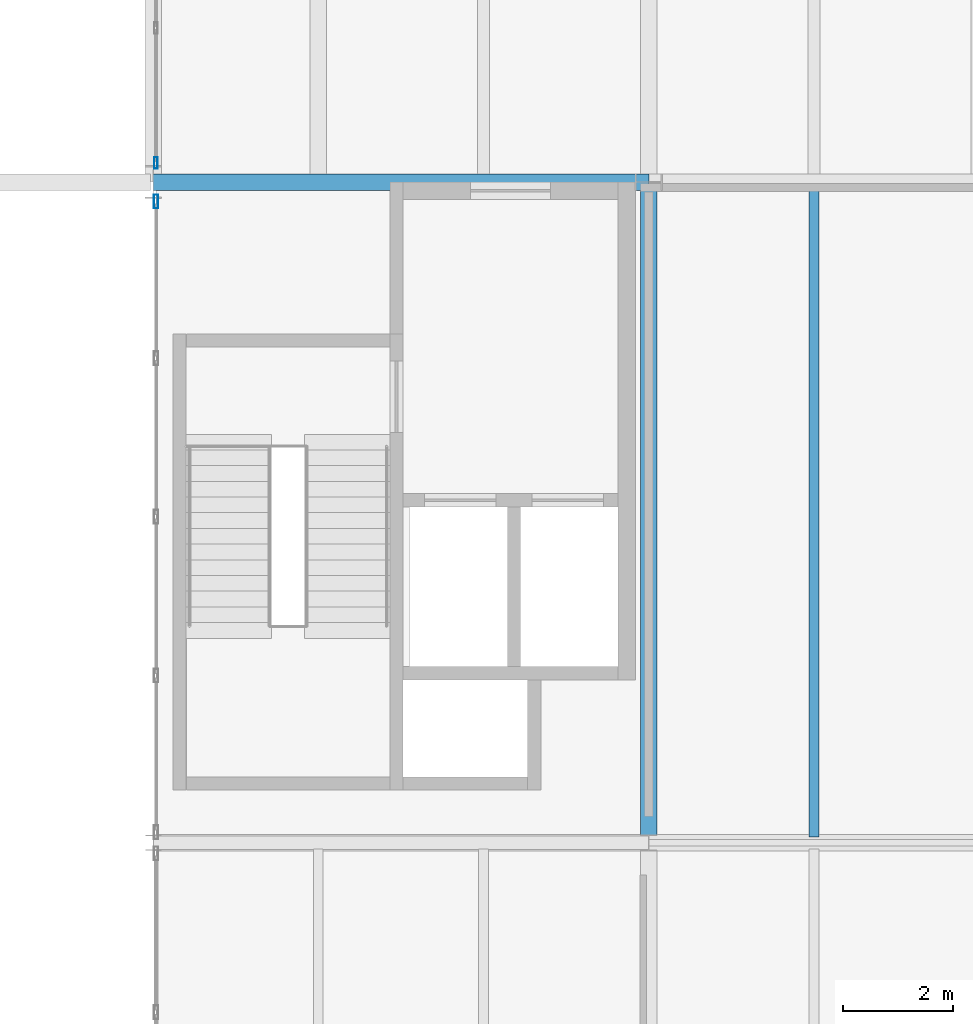
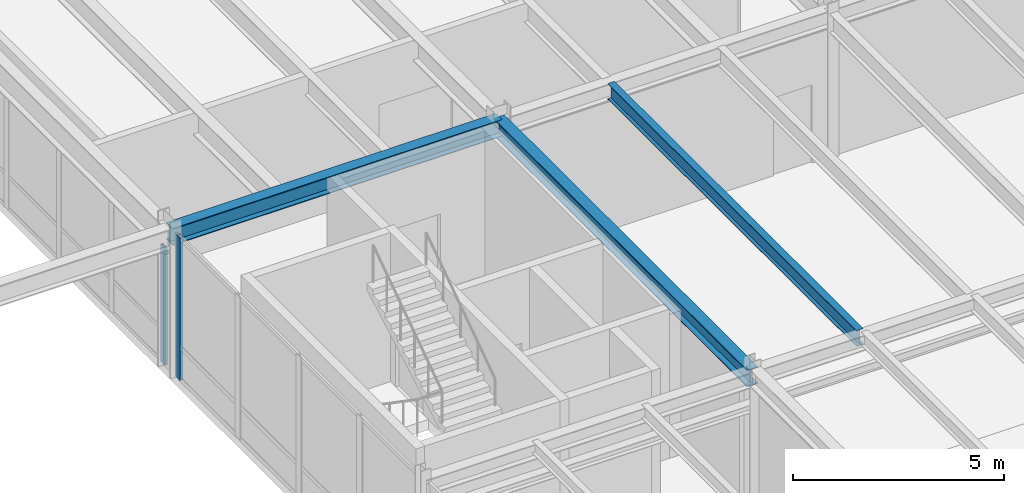
# One storey, part 76 of 115: 3 beams, 2 members, 2 elements without a shape of their own.
"""IFC4 building model written with IfcOpenShell, lengths in metres."""

import ifcopenshell
import ifcopenshell.guid

model = None  # the IFC model being written
_history = None  # IfcOwnerHistory: only IFC2X3 demands one
_inside = {}  # id of a spatial element -> (the spatial element, [elements in it])
_under = {}  # id of a project, library or spatial element -> (it, [spatial elements below it])
_declared = {}  # id of a project -> (the project, [libraries it declares])
_typed = {}  # id of a type object -> (the type object, [elements of that type])
_made_of = {}  # id of a material, layer set ... -> (it, [elements and type objects made of it])


def new_model(schema):
    """Start an empty IFC model of exactly this schema.

    Asked for "IFC4X3", IfcOpenShell would pick the latest addendum, in which some entities
    have other attributes; the version numbers below select the first issue.
    IFC2X3 requires an IfcOwnerHistory on every rooted entity: one is made here for all.
    """
    global model, _history
    if schema == "IFC4X3":
        model = ifcopenshell.file(schema_version=(4, 3, 0, 0))
    else:
        model = ifcopenshell.file(schema=schema)
    _inside.clear()
    _under.clear()
    _declared.clear()
    _typed.clear()
    _made_of.clear()
    _history = None
    if model.schema == "IFC2X3":
        org = make("IfcOrganization", Name="unknown")
        user = make(
            "IfcPersonAndOrganization",
            ThePerson=make("IfcPerson", FamilyName="unknown"),
            TheOrganization=org,
        )
        app = make(
            "IfcApplication",
            ApplicationDeveloper=org,
            Version="unknown",
            ApplicationFullName="unknown",
            ApplicationIdentifier="unknown",
        )
        _history = make(
            "IfcOwnerHistory",
            OwningUser=user,
            OwningApplication=app,
            ChangeAction="ADDED",
            CreationDate=0,
        )
    return model


def make(cls, **values):
    """One entity of the class cls with the attributes given. An attribute that is None is left unset."""
    return model.create_entity(
        cls, **{name: value for name, value in values.items() if value is not None}
    )


def rooted(cls, **values):
    """An entity with a GlobalId (a new one), such as an element, a storey or a relation."""
    return make(cls, GlobalId=ifcopenshell.guid.new(), OwnerHistory=_history, **values)


def si_unit(unit_type, name, prefix=None):
    """IfcSIUnit, for example si_unit("LENGTHUNIT", "METRE", prefix="MILLI")."""
    return make("IfcSIUnit", UnitType=unit_type, Prefix=prefix, Name=name)


def assignment(units):
    """IfcUnitAssignment: the units of a project."""
    return None if units is None else make("IfcUnitAssignment", Units=units)


def point(xyz):
    """IfcCartesianPoint."""
    return None if xyz is None else make("IfcCartesianPoint", Coordinates=xyz)


def direction(xyz):
    """IfcDirection."""
    return None if xyz is None else make("IfcDirection", DirectionRatios=xyz)


def frame(location, z_axis=None, x_axis=None):
    """IfcAxis2Placement3D, a coordinate frame: its origin and axes. An axis left out is left unset."""
    return make(
        "IfcAxis2Placement3D",
        Location=point(location),
        Axis=direction(z_axis),
        RefDirection=direction(x_axis),
    )


def frame_2d(location, x_axis=None):
    """IfcAxis2Placement2D, a coordinate frame in the plane: its origin and x axis."""
    return make(
        "IfcAxis2Placement2D", Location=point(location), RefDirection=direction(x_axis)
    )


def origin():
    """The frame at (0, 0, 0) with its axes left unset."""
    return frame((0.0, 0.0, 0.0))


def origin_2d():
    """The frame at (0, 0) in the plane with its x axis left unset."""
    return frame_2d((0.0, 0.0))


def place(relative_to, where):
    """IfcLocalPlacement: puts the frame where relative to a parent placement (None: the world)."""
    return make(
        "IfcLocalPlacement", PlacementRelTo=relative_to, RelativePlacement=where
    )


def context(
    kind, dimensions, precision=None, world=None, true_north=None, identifier=None
):
    """IfcGeometricRepresentationContext, for example the 3D "Model" context."""
    return make(
        "IfcGeometricRepresentationContext",
        ContextIdentifier=identifier,
        ContextType=kind,
        CoordinateSpaceDimension=dimensions,
        Precision=precision,
        WorldCoordinateSystem=world,
        TrueNorth=true_north,
    )


def subcontext(parent, identifier, kind, view, scale=None):
    """IfcGeometricRepresentationSubContext, for example "Body" below "Model"."""
    return make(
        "IfcGeometricRepresentationSubContext",
        ContextIdentifier=identifier,
        ContextType=kind,
        ParentContext=parent,
        TargetScale=scale,
        TargetView=view,
    )


def project(units=None, contexts=None):
    """IfcProject with its units and contexts."""
    return rooted(
        "IfcProject",
        Name="project",
        RepresentationContexts=contexts,
        UnitsInContext=assignment(units),
    )


def spatial(cls, under=None, at=None, **own):
    """A site, building, storey or space (cls), placed at a placement, below another one or the project."""
    s = rooted(cls, ObjectPlacement=at, **own)
    if under is not None:
        _under.setdefault(under.id(), (under, []))[1].append(s)
    return s


def profile(cls, at=None, kind="AREA", **sizes):
    """A parametric profile (cls). Its sizes go by their IFC names, for example OverallWidth=200.0."""
    return make(cls, ProfileType=kind, Position=at, **sizes)


def hollow_rectangle(**sizes):
    """IfcRectangleHollowProfileDef."""
    return profile("IfcRectangleHollowProfileDef", **sizes)


def i_section(**sizes):
    """IfcIShapeProfileDef."""
    return profile("IfcIShapeProfileDef", **sizes)


def extrude(swept, where, along, depth):
    """IfcExtrudedAreaSolid: the profile swept, set in the frame where, extruded along a direction by depth."""
    return make(
        "IfcExtrudedAreaSolid",
        SweptArea=swept,
        Position=where,
        ExtrudedDirection=direction(along),
        Depth=depth,
    )


def shape(context_of_items, identifier, shape_type, items):
    """IfcShapeRepresentation: the items that make up one representation, for example the "Body"."""
    return make(
        "IfcShapeRepresentation",
        ContextOfItems=context_of_items,
        RepresentationIdentifier=identifier,
        RepresentationType=shape_type,
        Items=items,
    )


def material(Name=None, Category=None):
    """IfcMaterial."""
    return make("IfcMaterial", Name=Name, Category=Category)


def layer(
    of_material, thickness, ventilated=None, Name=None, Category=None, Priority=None
):
    """IfcMaterialLayer: one layer of a wall or slab, of a material (None: an air gap)."""
    return make(
        "IfcMaterialLayer",
        Material=of_material,
        LayerThickness=thickness,
        IsVentilated=ventilated,
        Name=Name,
        Category=Category,
        Priority=Priority,
    )


def layer_set(layers, Name=None):
    """IfcMaterialLayerSet."""
    return make("IfcMaterialLayerSet", MaterialLayers=layers, LayerSetName=Name)


def material_profile(
    of_material, cross_section, Name=None, Category=None, Priority=None
):
    """IfcMaterialProfile: a cross section and its material."""
    return make(
        "IfcMaterialProfile",
        Name=Name,
        Material=of_material,
        Profile=cross_section,
        Priority=Priority,
        Category=Category,
    )


def profile_set(profiles, Name=None, composite=None):
    """IfcMaterialProfileSet."""
    return make(
        "IfcMaterialProfileSet",
        Name=Name,
        MaterialProfiles=profiles,
        CompositeProfile=composite,
    )


def made_of(thing, what):
    """Note that an element or type object is made of a material, layer set ...; save() writes the relation."""
    if what is not None:
        _made_of.setdefault(what.id(), (what, []))[1].append(thing)
    return thing


def type_object(cls, material=None, **own):
    """A type object (cls), such as IfcWallType, which elements share."""
    return made_of(rooted(cls, **own), material)


def element(
    cls,
    number,
    at=None,
    inside=None,
    cuts=None,
    type_object=None,
    material=None,
    context=None,
    identifier="Body",
    shape_type=None,
    held_by="IfcProductDefinitionShape",
    body=None,
    shapes=None,
    **own,
):
    """One element of the class cls, such as IfcWall. Its Tag is "e" and its number.

    at: its placement. inside: the storey or other place that contains it. cuts: it is an
    opening in that element (IfcRelVoidsElement). A single representation is given by context,
    identifier, shape_type and body (its items); several are given by shapes. held_by: the class
    of the entity that holds the representations. save() writes the other relations.
    """
    e = rooted(cls, Tag="e%d" % number, ObjectPlacement=at, **own)
    if body is not None:
        shapes = [shape(context, identifier, shape_type, body)]
    if shapes is not None:
        e.Representation = make(held_by, Representations=shapes)
    if inside is not None:
        _inside.setdefault(inside.id(), (inside, []))[1].append(e)
    if cuts is not None:
        rooted(
            "IfcRelVoidsElement", RelatingBuildingElement=cuts, RelatedOpeningElement=e
        )
    if type_object is not None:
        _typed.setdefault(type_object.id(), (type_object, []))[1].append(e)
    return made_of(e, material)


def aggregate(whole, parts):
    """IfcRelAggregates: a whole, such as a stair, and the parts it consists of."""
    return rooted("IfcRelAggregates", RelatingObject=whole, RelatedObjects=parts)


def save(model, path):
    """Write the relations noted so far, then the file.

    IfcRelAggregates (storeys below a building ...), IfcRelContainedInSpatialStructure (elements
    in a storey), IfcRelDefinesByType, IfcRelAssociatesMaterial and IfcRelDeclares: one each for
    every whole, place, type object, material and project.
    """
    for whole, parts in _under.values():
        aggregate(whole, parts)
    for where, things in _inside.values():
        rooted(
            "IfcRelContainedInSpatialStructure",
            RelatedElements=things,
            RelatingStructure=where,
        )
    for kind, things in _typed.values():
        rooted("IfcRelDefinesByType", RelatedObjects=things, RelatingType=kind)
    for what, things in _made_of.values():
        rooted("IfcRelAssociatesMaterial", RelatedObjects=things, RelatingMaterial=what)
    for by, libraries in _declared.values():
        rooted("IfcRelDeclares", RelatingContext=by, RelatedDefinitions=libraries)
    model.write(path)


model = new_model("IFC4")

# Units and contexts
model_context = context("Model", 3, precision=1e-05, world=origin(), true_north=direction((0.0, 1.0)))
body_context = subcontext(model_context, "Body", "Model", "MODEL_VIEW")
ifc_project = project(units=[si_unit("LENGTHUNIT", "METRE"), si_unit("AREAUNIT", "SQUARE_METRE"), si_unit("VOLUMEUNIT", "CUBIC_METRE"), si_unit("PLANEANGLEUNIT", "RADIAN"), si_unit("MASSUNIT", "GRAM", prefix="KILO")], contexts=[model_context])

# Site, building, storey
site_placement = place(None, origin())
site = spatial("IfcSite", under=ifc_project, at=site_placement, CompositionType="ELEMENT")
building_placement = place(site_placement, origin())
building = spatial("IfcBuilding", under=site, at=building_placement, Name="Montelvaro Courts of Justice", CompositionType="ELEMENT")
storey_placement = place(building_placement, frame((0.0, 0.0, 9.89990234375)))
storey = spatial("IfcBuildingStorey", under=building, at=storey_placement, Name="L02", CompositionType="ELEMENT", Elevation=9.89990234375)

# Beams
ifc_material_1 = material(Name="Steel S355", Category="steel")
ifc_material_profile_1 = material_profile(ifc_material_1, i_section(OverallWidth=0.300048828125, OverallDepth=0.489990234375, WebThickness=0.011962890625, FlangeThickness=0.02294921875, at=origin_2d()), Name="HEA 500")
ifc_profile_set_1 = profile_set([ifc_material_profile_1], Name="Steel S355")
beam_type_1 = type_object("IfcBeamType", Name="Beam_HEA500", PredefinedType="USERDEFINED", material=ifc_profile_set_1)
beam_1_placement = place(storey_placement, frame((99.0, 78.0, 3.955078125), z_axis=(1.0, 0.0, 0.0), x_axis=(0.0, 1.0, 0.0)))
element("IfcBeam", 1, at=beam_1_placement, inside=storey, type_object=beam_type_1, Name="Beam B-19 L02", ObjectType="GIRDER", PredefinedType="USERDEFINED", context=body_context, shape_type="SweptSolid", body=[
    extrude(i_section(OverallWidth=0.300048828125, OverallDepth=0.489990234375, WebThickness=0.011962890625, FlangeThickness=0.02294921875, at=origin_2d()), origin(), (0.0, 0.0, 1.0), 9.0),
])
beam_2_placement = place(storey_placement, frame((108.0, 66.0, 3.955078125), z_axis=(0.0, 1.0, 0.0), x_axis=(-1.0, 0.0, 0.0)))
element("IfcBeam", 2, at=beam_2_placement, inside=storey, type_object=beam_type_1, Name="Beam B-19 L02", ObjectType="GIRDER", PredefinedType="USERDEFINED", context=body_context, shape_type="SweptSolid", body=[
    extrude(i_section(OverallWidth=0.300048828125, OverallDepth=0.489990234375, WebThickness=0.011962890625, FlangeThickness=0.02294921875, at=origin_2d()), origin(), (0.0, 0.0, 1.0), 12.0),
])
ifc_material_profile_2 = material_profile(ifc_material_1, i_section(OverallWidth=0.18994140625, OverallDepth=0.449951171875, WebThickness=0.009521484375, FlangeThickness=0.0146484375, at=origin_2d()), Name="IPE 450")
ifc_profile_set_2 = profile_set([ifc_material_profile_2], Name="Steel S355")
beam_type_2 = type_object("IfcBeamType", Name="Beam_IPE450", PredefinedType="BEAM", material=ifc_profile_set_2)
beam_3_placement = place(storey_placement, frame((111.0, 66.110107421875, 3.97509765625), z_axis=(0.0, 1.0, 0.0), x_axis=(-1.0, 0.0, 0.0)))
element("IfcBeam", 3, at=beam_3_placement, inside=storey, type_object=beam_type_2, Name="Beam B-09 L02", PredefinedType="BEAM", context=body_context, shape_type="SweptSolid", body=[
    extrude(i_section(OverallWidth=0.18994140625, OverallDepth=0.449951171875, WebThickness=0.009521484375, FlangeThickness=0.0146484375, at=origin_2d()), origin(), (0.0, 0.0, 1.0), 11.77978515625),
])

# Curtain wall, member
ifc_material_2 = material(Name="Anodised aluminium EN AW-6063", Category="aluminium")
ifc_layer_1 = layer(ifc_material_2, 0.159912109375)
ifc_layer_set_1 = layer_set([ifc_layer_1], Name="Anodised aluminium EN AW-6063")
curtain_wall_type_1 = type_object("IfcCurtainWallType", Name="CurtainWall_27_1737x418", PredefinedType="USERDEFINED", material=ifc_layer_set_1)
curtain_wall_1_placement = place(storey_placement, origin())
curtain_wall_1 = element("IfcCurtainWall", 4, at=curtain_wall_1_placement, inside=storey, type_object=curtain_wall_type_1, Name="Curtain Wall CW-27 (L02)", ObjectType="CURTAIN WALL", PredefinedType="USERDEFINED")
ifc_material_profile_3 = material_profile(ifc_material_2, hollow_rectangle(XDim=0.06494140625, YDim=0.2099609375, WallThickness=0.0048828125, at=origin_2d()), Name="ALU-M 65x210")
ifc_profile_set_3 = profile_set([ifc_material_profile_3], Name="Anodised aluminium EN AW-6063")
member_type_1 = type_object("IfcMemberType", Name="CurtainWall_Mullion_65x210", PredefinedType="MULLION", material=ifc_profile_set_3)
member_1_placement = place(storey_placement, frame((99.050048828125, 78.347412109375, 0.0), z_axis=(0.0, 0.0, 1.0), x_axis=(1.0, 0.0, 0.0)))
member_1 = element("IfcMember", 5, at=member_1_placement, type_object=member_type_1, Name="CW-27 mullion 8", PredefinedType="MULLION", context=body_context, shape_type="SweptSolid", body=[
    extrude(hollow_rectangle(XDim=0.06494140625, YDim=0.2099609375, WallThickness=0.0048828125, at=origin_2d()), origin(), (0.0, 0.0, 1.0), 3.39501953125),
])
aggregate(curtain_wall_1, [member_1])

ifc_layer_2 = layer(ifc_material_2, 0.159912109375)
ifc_layer_set_2 = layer_set([ifc_layer_2], Name="Anodised aluminium EN AW-6063")
curtain_wall_type_2 = type_object("IfcCurtainWallType", Name="CurtainWall_23_1154x418", PredefinedType="USERDEFINED", material=ifc_layer_set_2)
curtain_wall_2_placement = place(storey_placement, origin())
curtain_wall_2 = element("IfcCurtainWall", 6, at=curtain_wall_2_placement, inside=storey, type_object=curtain_wall_type_2, Name="Curtain Wall CW-23 (L02)", ObjectType="CURTAIN WALL", PredefinedType="USERDEFINED")
ifc_material_profile_4 = material_profile(ifc_material_2, hollow_rectangle(XDim=0.074951171875, YDim=0.25, WallThickness=0.005615234375, at=origin_2d()), Name="ALU-M 75x250")
ifc_profile_set_4 = profile_set([ifc_material_profile_4], Name="Anodised aluminium EN AW-6063")
member_type_2 = type_object("IfcMemberType", Name="CurtainWall_Mullion_75x250", PredefinedType="MULLION", material=ifc_profile_set_4)
member_2_placement = place(storey_placement, frame((99.050048828125, 77.6474609375, 0.0), z_axis=(0.0, 0.0, 1.0), x_axis=(1.0, 0.0, 0.0)))
member_2 = element("IfcMember", 7, at=member_2_placement, type_object=member_type_2, Name="CW-23 mullion 1", PredefinedType="MULLION", context=body_context, shape_type="SweptSolid", body=[
    extrude(hollow_rectangle(XDim=0.074951171875, YDim=0.25, WallThickness=0.005615234375, at=origin_2d()), origin(), (0.0, 0.0, 1.0), 4.1201171875),
])
aggregate(curtain_wall_2, [member_2])

save(model, "model.ifc")
